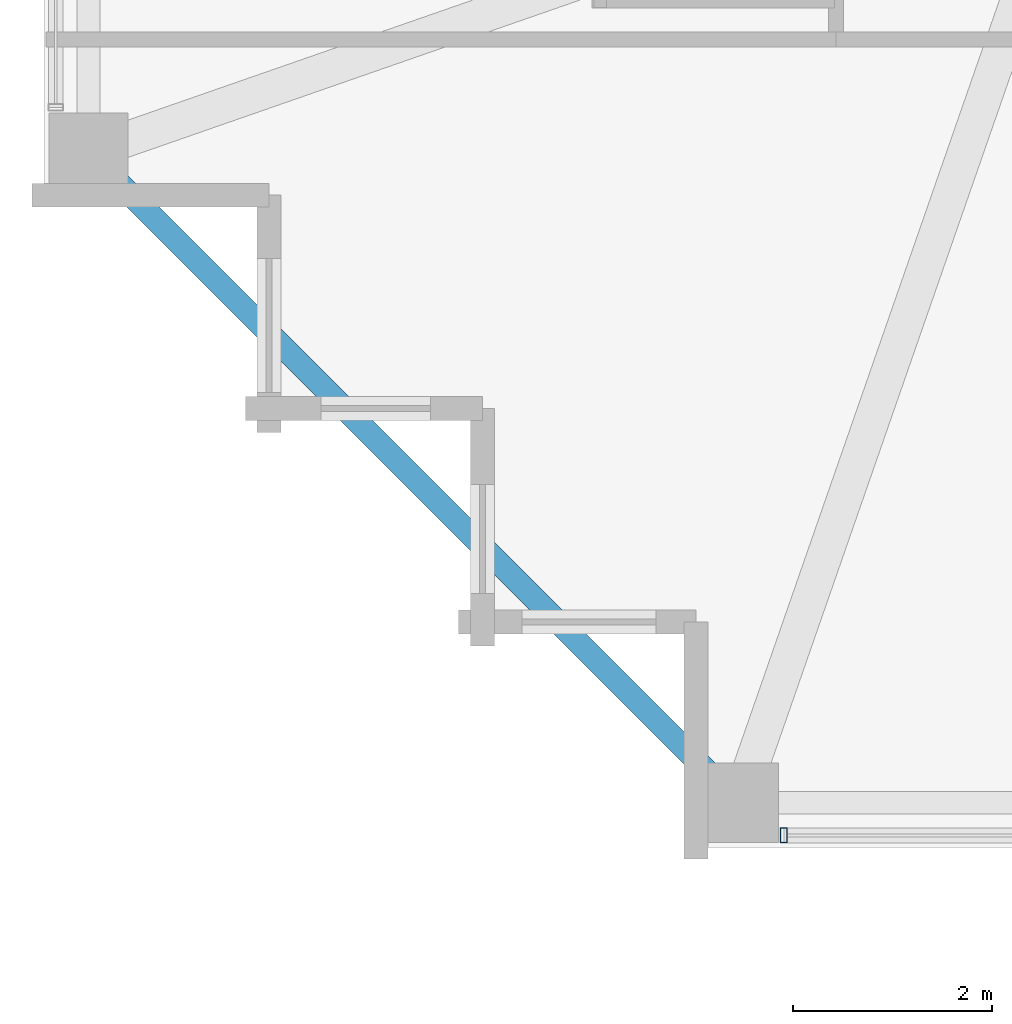
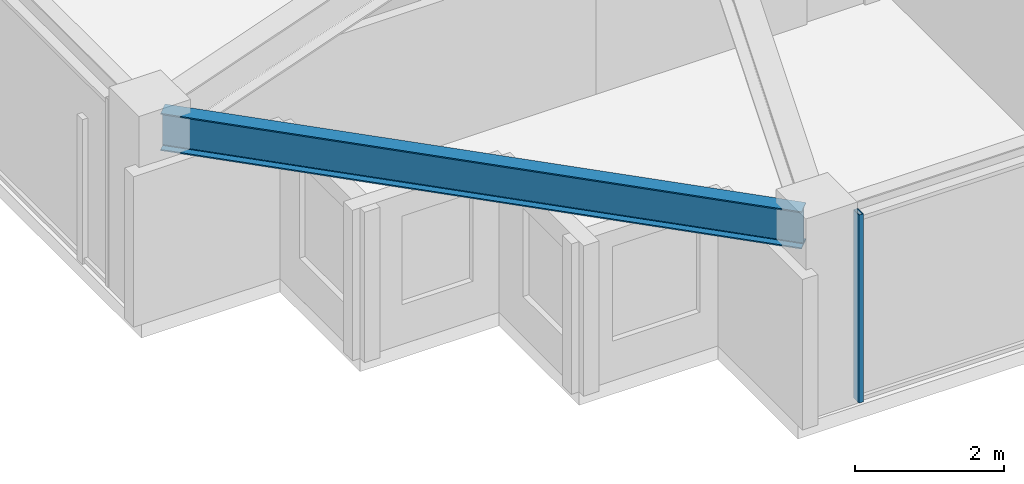
# One storey, part 2 of 36: 1 beam, 1 member, 1 element without a shape of its own.
"""IFC4 building model written with IfcOpenShell, lengths in metres."""

from ifc_helpers import new_model, si_unit, direction, frame, origin, origin_2d, place, context, subcontext, project, spatial, hollow_rectangle, i_section, extrude, material, material_profile, profile_set, type_object, element, aggregate, save


model = new_model("IFC4")

# Units and contexts
model_context = context("Model", 3, precision=1e-05, world=origin(), true_north=direction((0.0, 1.0)))
body_context = subcontext(model_context, "Body", "Model", "MODEL_VIEW")
ifc_project = project(units=[si_unit("LENGTHUNIT", "METRE"), si_unit("AREAUNIT", "SQUARE_METRE"), si_unit("VOLUMEUNIT", "CUBIC_METRE"), si_unit("PLANEANGLEUNIT", "RADIAN"), si_unit("MASSUNIT", "GRAM", prefix="KILO")], contexts=[model_context])

# Site, building, storey
site_placement = place(None, origin())
site = spatial("IfcSite", under=ifc_project, at=site_placement, CompositionType="ELEMENT")
building_placement = place(site_placement, origin())
building = spatial("IfcBuilding", under=site, at=building_placement, Name="Kolvaren Belvedere", CompositionType="ELEMENT")
storey_placement = place(building_placement, frame((0.0, 0.0, 226.199951171875)))
storey = spatial("IfcBuildingStorey", under=building, at=storey_placement, Name="L66", CompositionType="ELEMENT", Elevation=226.199951171875)

# Beam
ifc_material_1 = material(Name="Structural steel ASTM A992 Grade 50", Category="steel")
ifc_material_profile_1 = material_profile(ifc_material_1, i_section(OverallWidth=0.22900390625, OverallDepth=0.612060546875, WebThickness=0.011962890625, FlangeThickness=0.01953125, FilletRadius=0.01806640625, at=origin_2d()), Name="W24X84")
ifc_profile_set_1 = profile_set([ifc_material_profile_1], Name="Structural steel ASTM A992 Grade 50")
beam_type = type_object("IfcBeamType", Name="BM-SPAN-W24X84", PredefinedType="SPANDREL", material=ifc_profile_set_1)
beam_placement = place(storey_placement, frame((-19.82275390625, -13.52734375, 2.774169921875), z_axis=(0.707106781187, -0.707106781187, 0.0), x_axis=(0.707106781187, 0.707106781187, 0.0)))
element("IfcBeam", 1, at=beam_placement, inside=storey, type_object=beam_type, Name="L66 Perimeter Spandrel W1-S1", PredefinedType="SPANDREL", context=body_context, shape_type="SweptSolid", body=[
    extrude(i_section(OverallWidth=0.22900390625, OverallDepth=0.612060546875, WebThickness=0.011962890625, FlangeThickness=0.01953125, FilletRadius=0.01806640625, at=origin_2d()), origin(), (0.0, 0.0, 1.0), 8.903076171875),
])

# Curtain wall, member
ifc_material_2 = material(Name="Anodised pale-metal aluminium AA 6063-T6", Category="aluminium")
curtain_wall_type = type_object("IfcCurtainWallType", Name="CW-Z5-HIGH", PredefinedType="NOTDEFINED", material=ifc_material_2)
curtain_wall_placement = place(storey_placement, origin())
curtain_wall = element("IfcCurtainWall", 2, at=curtain_wall_placement, inside=storey, type_object=curtain_wall_type, Name="L66 Unitised Curtain Wall FCW-L66-S2-B2", PredefinedType="NOTDEFINED")
ifc_material_3 = material(Name="Anodised pale-metal aluminium AA 6063-T6", Category="aluminium")
ifc_material_profile_2 = material_profile(ifc_material_3, hollow_rectangle(XDim=0.070068359375, YDim=0.14990234375, WallThickness=0.004150390625, at=origin_2d()), Name="ALU-MUL-150X70")
ifc_profile_set_2 = profile_set([ifc_material_profile_2], Name="Anodised pale-metal aluminium AA 6063-T6")
member_type = type_object("IfcMemberType", Name="CW-MUL-150", PredefinedType="MULLION", material=ifc_profile_set_2)
member_placement = place(storey_placement, frame((-12.945068359375, -20.280029296875, 0.0), z_axis=(0.0, 0.0, 1.0), x_axis=(1.0, 0.0, 0.0)))
member = element("IfcMember", 3, at=member_placement, type_object=member_type, Name="FCW-L66-S2-B2 Unitised Mullion 3", PredefinedType="MULLION", context=body_context, shape_type="SweptSolid", body=[
    extrude(hollow_rectangle(XDim=0.070068359375, YDim=0.14990234375, WallThickness=0.004150390625, at=origin_2d()), origin(), (0.0, 0.0, 1.0), 3.080078125),
])
aggregate(curtain_wall, [member])

save(model, "model.ifc")
